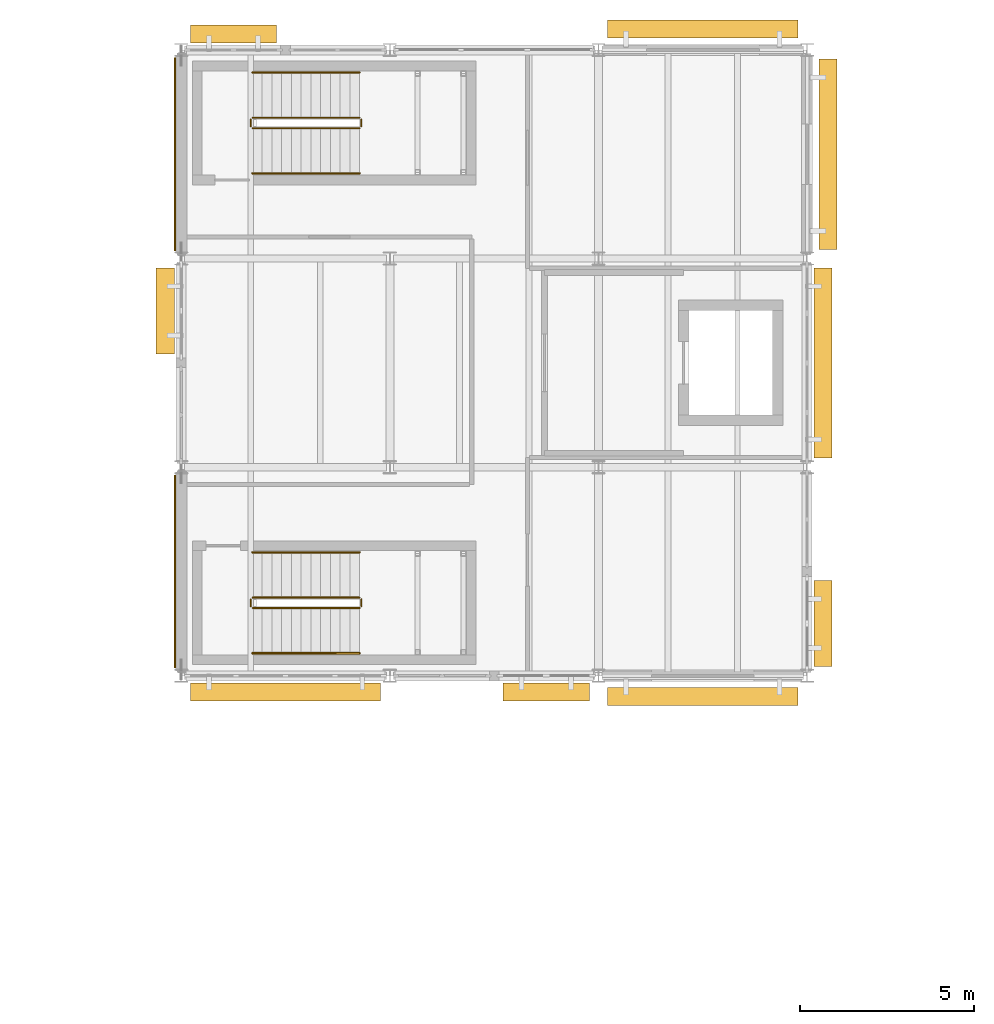
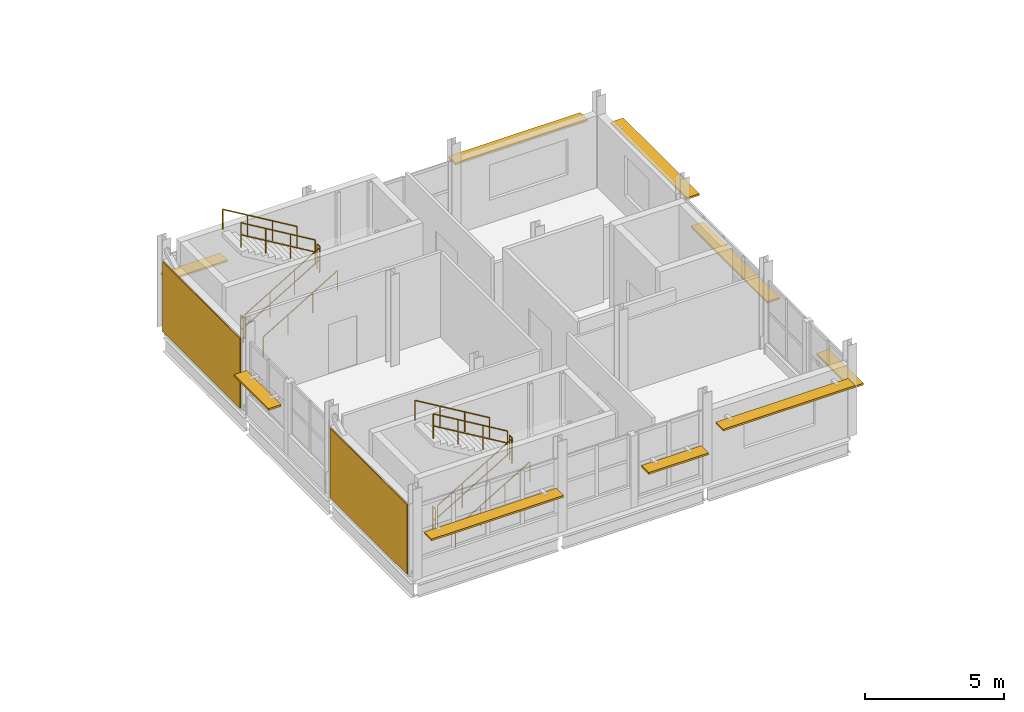
# One storey, part 88 of 92: 12 railings, 9 shading devices, 2 coverings.
"""IFC4 building model written with IfcOpenShell, lengths in metres."""

from ifc_helpers import new_model, si_unit, direction, frame, origin, origin_2d, place, context, subcontext, project, spatial, rectangle, circle, extrude, material, layer, layer_set, type_object, element, save


model = new_model("IFC4")

# Units and contexts
model_context = context("Model", 3, precision=1e-05, world=origin(), true_north=direction((0.0, 1.0)))
body_context = subcontext(model_context, "Body", "Model", "MODEL_VIEW")
ifc_project = project(units=[si_unit("LENGTHUNIT", "METRE"), si_unit("AREAUNIT", "SQUARE_METRE"), si_unit("VOLUMEUNIT", "CUBIC_METRE"), si_unit("PLANEANGLEUNIT", "RADIAN"), si_unit("MASSUNIT", "GRAM", prefix="KILO")], contexts=[model_context])

# Site, building, storey
site_placement = place(None, origin())
site = spatial("IfcSite", under=ifc_project, at=site_placement, CompositionType="ELEMENT")
building_placement = place(site_placement, origin())
building = spatial("IfcBuilding", under=site, at=building_placement, Name="Siltcreek Boulevard Central Fire Station", CompositionType="ELEMENT")
storey_placement = place(building_placement, frame((0.0, 0.0, 6.0)))
storey = spatial("IfcBuildingStorey", under=building, at=storey_placement, Name="L02", CompositionType="ELEMENT", Elevation=6.0)

# Coverings
ifc_material_1 = material(Name="Crisp white ribbed aluminum facade panel", Category="aluminium")
ifc_layer_1 = layer(ifc_material_1, 0.0400390625, Name="Crisp white ribbed aluminum facade panel")
ifc_layer_set_1 = layer_set([ifc_layer_1], Name="Crisp white ribbed aluminum facade panel")
covering_type = type_object("IfcCoveringType", Name="COV_CLAD_WHITE", PredefinedType="CLADDING", material=ifc_layer_set_1)
for number, where, z_axis, x_axis, name in (
    (1, (41.822021484375, 97.199951171875, 0.05029296875), (0.0, 0.0, 1.0), (0.0, -1.0, 0.0), "L02 V3 ventilated facade cladding panel CL-010"),
    (2, (41.822021484375, 109.199951171875, 0.05029296875), (0.0, 0.0, 1.0), (0.0, -1.0, 0.0), "L02 V3 ventilated facade cladding panel CL-011"),
):
    element("IfcCovering", number, at=place(storey_placement, frame(where, z_axis=z_axis, x_axis=x_axis)), inside=storey, type_object=covering_type, Name=name, PredefinedType="CLADDING", context=body_context, shape_type="SweptSolid", body=[
        extrude(rectangle(XDim=5.550048828125, YDim=0.0400390625, at=origin_2d()), origin(), (0.0, 0.0, 1.0), 3.056884765625),
    ])

# Railings
ifc_material_2 = material(Name="Painted galvanized steel stair guard", Category="steel")
railing_type_1 = type_object("IfcRailingType", Name="RL_ST_GUARD", PredefinedType="BALUSTRADE", material=ifc_material_2)
railing_1_placement = place(storey_placement, frame((44.050048828125, 96.14990234375, 0.166748046875)))
element("IfcRailing", 3, at=railing_1_placement, inside=storey, type_object=railing_type_1, Name="L02 ST-V3A stair guard 1", PredefinedType="BALUSTRADE", context=body_context, shape_type="SweptSolid", body=[
    extrude(circle(Radius=0.02392578125, at=origin_2d()), frame((0.0, 0.0, 1.076171875), z_axis=(0.859290745958, 0.0, 0.51148745235), x_axis=(0.0, 1.0, 0.0)), (0.0, 0.0, 1.0), 3.584228515625),
    extrude(circle(Radius=0.02392578125, at=origin_2d()), frame((0.0, 0.0, 0.550048828125), z_axis=(0.859290745958, 0.0, 0.51148745235), x_axis=(0.0, 1.0, 0.0)), (0.0, 0.0, 1.0), 3.584228515625),
    extrude(circle(Radius=0.02099609375, at=origin_2d()), origin(), (0.0, 0.0, 1.0), 1.052001953125),
    extrude(circle(Radius=0.02099609375, at=origin_2d()), frame((1.026611328125, 0.0, 0.611083984375)), (0.0, 0.0, 1.0), 1.052001953125),
    extrude(circle(Radius=0.02099609375, at=origin_2d()), frame((2.05322265625, 0.0, 1.22216796875)), (0.0, 0.0, 1.0), 1.052001953125),
    extrude(circle(Radius=0.02099609375, at=origin_2d()), frame((3.079833984375, 0.0, 1.833251953125)), (0.0, 0.0, 1.0), 1.052001953125),
])
railing_2_placement = place(storey_placement, frame((47.179931640625, 96.199951171875, 2.0)))
element("IfcRailing", 4, at=railing_2_placement, inside=storey, type_object=railing_type_1, Name="L02 ST-V3A stair guard 2", PredefinedType="BALUSTRADE", context=body_context, shape_type="SweptSolid", body=[
    extrude(circle(Radius=0.02392578125, at=origin_2d()), frame((0.0, 0.0, 1.076171875), z_axis=(0.0, 1.0, 0.0), x_axis=(-1.0, 0.0, 0.0)), (0.0, 0.0, 1.0), 0.199951171875),
    extrude(circle(Radius=0.02392578125, at=origin_2d()), frame((0.0, 0.0, 0.550048828125), z_axis=(0.0, 1.0, 0.0), x_axis=(-1.0, 0.0, 0.0)), (0.0, 0.0, 1.0), 0.199951171875),
    extrude(circle(Radius=0.02099609375, at=origin_2d()), origin(), (0.0, 0.0, 1.0), 1.052001953125),
    extrude(circle(Radius=0.02099609375, at=origin_2d()), frame((0.0, 0.199951171875, 0.0)), (0.0, 0.0, 1.0), 1.052001953125),
])
railing_3_placement = place(storey_placement, frame((47.1298828125, 96.449951171875, 2.166748046875)))
element("IfcRailing", 5, at=railing_3_placement, inside=storey, type_object=railing_type_1, Name="L02 ST-V3A stair guard 3", PredefinedType="BALUSTRADE", context=body_context, shape_type="SweptSolid", body=[
    extrude(circle(Radius=0.02392578125, at=origin_2d()), frame((0.0, 0.0, 1.076171875), z_axis=(-0.859290745958, 0.0, 0.51148745235), x_axis=(0.0, -1.0, 0.0)), (0.0, 0.0, 1.0), 3.584228515625),
    extrude(circle(Radius=0.02392578125, at=origin_2d()), frame((0.0, 0.0, 0.550048828125), z_axis=(-0.859290745958, 0.0, 0.51148745235), x_axis=(0.0, -1.0, 0.0)), (0.0, 0.0, 1.0), 3.584228515625),
    extrude(circle(Radius=0.02099609375, at=origin_2d()), origin(), (0.0, 0.0, 1.0), 1.052001953125),
    extrude(circle(Radius=0.02099609375, at=origin_2d()), frame((-1.026611328125, 0.0, 0.611083984375)), (0.0, 0.0, 1.0), 1.052001953125),
    extrude(circle(Radius=0.02099609375, at=origin_2d()), frame((-2.05322265625, 0.0, 1.22216796875)), (0.0, 0.0, 1.0), 1.052001953125),
    extrude(circle(Radius=0.02099609375, at=origin_2d()), frame((-3.079833984375, 0.0, 1.833251953125)), (0.0, 0.0, 1.0), 1.052001953125),
])
railing_4_placement = place(storey_placement, frame((44.0, 96.199951171875, 0.0)))
element("IfcRailing", 6, at=railing_4_placement, inside=storey, type_object=railing_type_1, Name="L02 ST-V3A stair guard 4", PredefinedType="BALUSTRADE", context=body_context, shape_type="SweptSolid", body=[
    extrude(circle(Radius=0.02392578125, at=origin_2d()), frame((0.0, 0.0, 1.076171875), z_axis=(0.0, 1.0, 0.0), x_axis=(-1.0, 0.0, 0.0)), (0.0, 0.0, 1.0), 0.199951171875),
    extrude(circle(Radius=0.02392578125, at=origin_2d()), frame((0.0, 0.0, 0.550048828125), z_axis=(0.0, 1.0, 0.0), x_axis=(-1.0, 0.0, 0.0)), (0.0, 0.0, 1.0), 0.199951171875),
    extrude(circle(Radius=0.02099609375, at=origin_2d()), origin(), (0.0, 0.0, 1.0), 1.052001953125),
    extrude(circle(Radius=0.02099609375, at=origin_2d()), frame((0.0, 0.199951171875, 0.0)), (0.0, 0.0, 1.0), 1.052001953125),
])
railing_5_placement = place(storey_placement, frame((44.050048828125, 109.949951171875, 0.166748046875)))
element("IfcRailing", 7, at=railing_5_placement, inside=storey, type_object=railing_type_1, Name="L02 ST-V3B stair guard 1", PredefinedType="BALUSTRADE", context=body_context, shape_type="SweptSolid", body=[
    extrude(circle(Radius=0.02392578125, at=origin_2d()), frame((0.0, 0.0, 1.076171875), z_axis=(0.859290745958, 0.0, 0.51148745235), x_axis=(0.0, 1.0, 0.0)), (0.0, 0.0, 1.0), 3.584228515625),
    extrude(circle(Radius=0.02392578125, at=origin_2d()), frame((0.0, 0.0, 0.550048828125), z_axis=(0.859290745958, 0.0, 0.51148745235), x_axis=(0.0, 1.0, 0.0)), (0.0, 0.0, 1.0), 3.584228515625),
    extrude(circle(Radius=0.02099609375, at=origin_2d()), origin(), (0.0, 0.0, 1.0), 1.052001953125),
    extrude(circle(Radius=0.02099609375, at=origin_2d()), frame((1.026611328125, 0.0, 0.611083984375)), (0.0, 0.0, 1.0), 1.052001953125),
    extrude(circle(Radius=0.02099609375, at=origin_2d()), frame((2.05322265625, 0.0, 1.22216796875)), (0.0, 0.0, 1.0), 1.052001953125),
    extrude(circle(Radius=0.02099609375, at=origin_2d()), frame((3.079833984375, 0.0, 1.833251953125)), (0.0, 0.0, 1.0), 1.052001953125),
])
railing_6_placement = place(storey_placement, frame((47.179931640625, 110.0, 2.0)))
element("IfcRailing", 8, at=railing_6_placement, inside=storey, type_object=railing_type_1, Name="L02 ST-V3B stair guard 2", PredefinedType="BALUSTRADE", context=body_context, shape_type="SweptSolid", body=[
    extrude(circle(Radius=0.02392578125, at=origin_2d()), frame((0.0, 0.0, 1.076171875), z_axis=(0.0, 1.0, 0.0), x_axis=(-1.0, 0.0, 0.0)), (0.0, 0.0, 1.0), 0.199951171875),
    extrude(circle(Radius=0.02392578125, at=origin_2d()), frame((0.0, 0.0, 0.550048828125), z_axis=(0.0, 1.0, 0.0), x_axis=(-1.0, 0.0, 0.0)), (0.0, 0.0, 1.0), 0.199951171875),
    extrude(circle(Radius=0.02099609375, at=origin_2d()), origin(), (0.0, 0.0, 1.0), 1.052001953125),
    extrude(circle(Radius=0.02099609375, at=origin_2d()), frame((0.0, 0.199951171875, 0.0)), (0.0, 0.0, 1.0), 1.052001953125),
])
railing_7_placement = place(storey_placement, frame((47.1298828125, 110.25, 2.166748046875)))
element("IfcRailing", 9, at=railing_7_placement, inside=storey, type_object=railing_type_1, Name="L02 ST-V3B stair guard 3", PredefinedType="BALUSTRADE", context=body_context, shape_type="SweptSolid", body=[
    extrude(circle(Radius=0.02392578125, at=origin_2d()), frame((0.0, 0.0, 1.076171875), z_axis=(-0.859290745958, 0.0, 0.51148745235), x_axis=(0.0, -1.0, 0.0)), (0.0, 0.0, 1.0), 3.584228515625),
    extrude(circle(Radius=0.02392578125, at=origin_2d()), frame((0.0, 0.0, 0.550048828125), z_axis=(-0.859290745958, 0.0, 0.51148745235), x_axis=(0.0, -1.0, 0.0)), (0.0, 0.0, 1.0), 3.584228515625),
    extrude(circle(Radius=0.02099609375, at=origin_2d()), origin(), (0.0, 0.0, 1.0), 1.052001953125),
    extrude(circle(Radius=0.02099609375, at=origin_2d()), frame((-1.026611328125, 0.0, 0.611083984375)), (0.0, 0.0, 1.0), 1.052001953125),
    extrude(circle(Radius=0.02099609375, at=origin_2d()), frame((-2.05322265625, 0.0, 1.22216796875)), (0.0, 0.0, 1.0), 1.052001953125),
    extrude(circle(Radius=0.02099609375, at=origin_2d()), frame((-3.079833984375, 0.0, 1.833251953125)), (0.0, 0.0, 1.0), 1.052001953125),
])
railing_8_placement = place(storey_placement, frame((44.0, 110.0, 0.0)))
element("IfcRailing", 10, at=railing_8_placement, inside=storey, type_object=railing_type_1, Name="L02 ST-V3B stair guard 4", PredefinedType="BALUSTRADE", context=body_context, shape_type="SweptSolid", body=[
    extrude(circle(Radius=0.02392578125, at=origin_2d()), frame((0.0, 0.0, 1.076171875), z_axis=(0.0, 1.0, 0.0), x_axis=(-1.0, 0.0, 0.0)), (0.0, 0.0, 1.0), 0.199951171875),
    extrude(circle(Radius=0.02392578125, at=origin_2d()), frame((0.0, 0.0, 0.550048828125), z_axis=(0.0, 1.0, 0.0), x_axis=(-1.0, 0.0, 0.0)), (0.0, 0.0, 1.0), 0.199951171875),
    extrude(circle(Radius=0.02099609375, at=origin_2d()), origin(), (0.0, 0.0, 1.0), 1.052001953125),
    extrude(circle(Radius=0.02099609375, at=origin_2d()), frame((0.0, 0.199951171875, 0.0)), (0.0, 0.0, 1.0), 1.052001953125),
])
ifc_material_3 = material(Name="Brushed stainless steel stair handrail", Category="steel")
railing_type_2 = type_object("IfcRailingType", Name="RL_ST_HAND", PredefinedType="HANDRAIL", material=ifc_material_3)
railing_9_placement = place(storey_placement, frame((44.050048828125, 94.85009765625, 0.166748046875)))
element("IfcRailing", 11, at=railing_9_placement, inside=storey, type_object=railing_type_2, Name="L02 ST-V3A stair handrail 1", PredefinedType="HANDRAIL", context=body_context, shape_type="SweptSolid", body=[
    extrude(circle(Radius=0.02392578125, at=origin_2d()), frame((0.0, 0.0, 0.8759765625), z_axis=(0.859290745958, 0.0, 0.51148745235), x_axis=(0.0, 1.0, 0.0)), (0.0, 0.0, 1.0), 3.584228515625),
    extrude(circle(Radius=0.02099609375, at=origin_2d()), origin(), (0.0, 0.0, 1.0), 0.851806640625),
    extrude(circle(Radius=0.02099609375, at=origin_2d()), frame((1.026611328125, 0.0, 0.611083984375)), (0.0, 0.0, 1.0), 0.851806640625),
    extrude(circle(Radius=0.02099609375, at=origin_2d()), frame((2.05322265625, 0.0, 1.22216796875)), (0.0, 0.0, 1.0), 0.851806640625),
    extrude(circle(Radius=0.02099609375, at=origin_2d()), frame((3.079833984375, 0.0, 1.833251953125)), (0.0, 0.0, 1.0), 0.851806640625),
])
railing_10_placement = place(storey_placement, frame((47.1298828125, 97.75, 2.166748046875)))
element("IfcRailing", 12, at=railing_10_placement, inside=storey, type_object=railing_type_2, Name="L02 ST-V3A stair handrail 2", PredefinedType="HANDRAIL", context=body_context, shape_type="SweptSolid", body=[
    extrude(circle(Radius=0.02392578125, at=origin_2d()), frame((0.0, 0.0, 0.8759765625), z_axis=(-0.859290745958, 0.0, 0.51148745235), x_axis=(0.0, -1.0, 0.0)), (0.0, 0.0, 1.0), 3.584228515625),
    extrude(circle(Radius=0.02099609375, at=origin_2d()), origin(), (0.0, 0.0, 1.0), 0.851806640625),
    extrude(circle(Radius=0.02099609375, at=origin_2d()), frame((-1.026611328125, 0.0, 0.611083984375)), (0.0, 0.0, 1.0), 0.851806640625),
    extrude(circle(Radius=0.02099609375, at=origin_2d()), frame((-2.05322265625, 0.0, 1.22216796875)), (0.0, 0.0, 1.0), 0.851806640625),
    extrude(circle(Radius=0.02099609375, at=origin_2d()), frame((-3.079833984375, 0.0, 1.833251953125)), (0.0, 0.0, 1.0), 0.851806640625),
])
railing_11_placement = place(storey_placement, frame((44.050048828125, 108.64990234375, 0.166748046875)))
element("IfcRailing", 13, at=railing_11_placement, inside=storey, type_object=railing_type_2, Name="L02 ST-V3B stair handrail 1", PredefinedType="HANDRAIL", context=body_context, shape_type="SweptSolid", body=[
    extrude(circle(Radius=0.02392578125, at=origin_2d()), frame((0.0, 0.0, 0.8759765625), z_axis=(0.859290745958, 0.0, 0.51148745235), x_axis=(0.0, 1.0, 0.0)), (0.0, 0.0, 1.0), 3.584228515625),
    extrude(circle(Radius=0.02099609375, at=origin_2d()), origin(), (0.0, 0.0, 1.0), 0.851806640625),
    extrude(circle(Radius=0.02099609375, at=origin_2d()), frame((1.026611328125, 0.0, 0.611083984375)), (0.0, 0.0, 1.0), 0.851806640625),
    extrude(circle(Radius=0.02099609375, at=origin_2d()), frame((2.05322265625, 0.0, 1.22216796875)), (0.0, 0.0, 1.0), 0.851806640625),
    extrude(circle(Radius=0.02099609375, at=origin_2d()), frame((3.079833984375, 0.0, 1.833251953125)), (0.0, 0.0, 1.0), 0.851806640625),
])
railing_12_placement = place(storey_placement, frame((47.1298828125, 111.550048828125, 2.166748046875)))
element("IfcRailing", 14, at=railing_12_placement, inside=storey, type_object=railing_type_2, Name="L02 ST-V3B stair handrail 2", PredefinedType="HANDRAIL", context=body_context, shape_type="SweptSolid", body=[
    extrude(circle(Radius=0.02392578125, at=origin_2d()), frame((0.0, 0.0, 0.8759765625), z_axis=(-0.859290745958, 0.0, 0.51148745235), x_axis=(0.0, -1.0, 0.0)), (0.0, 0.0, 1.0), 3.584228515625),
    extrude(circle(Radius=0.02099609375, at=origin_2d()), origin(), (0.0, 0.0, 1.0), 0.851806640625),
    extrude(circle(Radius=0.02099609375, at=origin_2d()), frame((-1.026611328125, 0.0, 0.611083984375)), (0.0, 0.0, 1.0), 0.851806640625),
    extrude(circle(Radius=0.02099609375, at=origin_2d()), frame((-2.05322265625, 0.0, 1.22216796875)), (0.0, 0.0, 1.0), 0.851806640625),
    extrude(circle(Radius=0.02099609375, at=origin_2d()), frame((-3.079833984375, 0.0, 1.833251953125)), (0.0, 0.0, 1.0), 0.851806640625),
])

# Shading devices
ifc_material_4 = material(Name="Frey sage-green anodized tubular aluminum sunshade", Category="aluminium")
ifc_layer_2 = layer(ifc_material_4, 0.080078125, Name="Frey sage-green anodized tubular aluminum sunshade")
ifc_layer_set_2 = layer_set([ifc_layer_2], Name="Frey sage-green anodized tubular aluminum sunshade")
shading_device_type = type_object("IfcShadingDeviceType", Name="SHD_BRISE", PredefinedType="USERDEFINED", material=ifc_layer_set_2)
shading_device_1_placement = place(storey_placement, frame((45.0, 93.739990234375, 1.9365234375), z_axis=(0.0, 0.0, 1.0), x_axis=(1.0, 0.0, 0.0)))
element("IfcShadingDevice", 15, at=shading_device_1_placement, inside=storey, type_object=shading_device_type, Name="Anodized tubular aluminum brise-soleil SS-033", ObjectType="SUNSHADE", PredefinedType="USERDEFINED", context=body_context, shape_type="SweptSolid", body=[
    extrude(rectangle(XDim=5.469970703125, YDim=0.52001953125, at=origin_2d()), origin(), (0.0, 0.0, 1.0), 0.080078125),
])
shading_device_2_placement = place(storey_placement, frame((52.49755859375, 93.739990234375, 1.696533203125), z_axis=(0.0, 0.0, 1.0), x_axis=(1.0, 0.0, 0.0)))
element("IfcShadingDevice", 16, at=shading_device_2_placement, inside=storey, type_object=shading_device_type, Name="Anodized tubular aluminum brise-soleil SS-034", ObjectType="SUNSHADE", PredefinedType="USERDEFINED", context=body_context, shape_type="SweptSolid", body=[
    extrude(rectangle(XDim=2.47509765625, YDim=0.52001953125, at=origin_2d()), origin(), (0.0, 0.0, 1.0), 0.080078125),
])
shading_device_3_placement = place(storey_placement, frame((57.0, 93.60009765625, 2.6298828125), z_axis=(0.0, 0.0, 1.0), x_axis=(1.0, 0.0, 0.0)))
element("IfcShadingDevice", 17, at=shading_device_3_placement, inside=storey, type_object=shading_device_type, Name="Anodized tubular aluminum brise-soleil SS-035", ObjectType="SUNSHADE", PredefinedType="USERDEFINED", context=body_context, shape_type="SweptSolid", body=[
    extrude(rectangle(XDim=5.469970703125, YDim=0.52001953125, at=origin_2d()), origin(), (0.0, 0.0, 1.0), 0.080078125),
])
shading_device_4_placement = place(storey_placement, frame((43.50244140625, 112.659912109375, 1.81640625), z_axis=(0.0, 0.0, 1.0), x_axis=(-1.0, 0.0, 0.0)))
element("IfcShadingDevice", 18, at=shading_device_4_placement, inside=storey, type_object=shading_device_type, Name="Anodized tubular aluminum brise-soleil SS-036", ObjectType="SUNSHADE", PredefinedType="USERDEFINED", context=body_context, shape_type="SweptSolid", body=[
    extrude(rectangle(XDim=2.47509765625, YDim=0.52001953125, at=origin_2d()), origin(), (0.0, 0.0, 1.0), 0.080078125),
])
shading_device_5_placement = place(storey_placement, frame((57.0, 112.800048828125, 2.6298828125), z_axis=(0.0, 0.0, 1.0), x_axis=(-1.0, 0.0, 0.0)))
element("IfcShadingDevice", 19, at=shading_device_5_placement, inside=storey, type_object=shading_device_type, Name="Anodized tubular aluminum brise-soleil SS-037", ObjectType="SUNSHADE", PredefinedType="USERDEFINED", context=body_context, shape_type="SweptSolid", body=[
    extrude(rectangle(XDim=5.469970703125, YDim=0.52001953125, at=origin_2d()), origin(), (0.0, 0.0, 1.0), 0.080078125),
])
for number, where, z_axis, x_axis, name in (
    (20, (41.5400390625, 104.697509765625, 1.9384765625), (0.0, 0.0, 1.0), (0.0, -1.0, 0.0), "Anodized tubular aluminum brise-soleil SS-038"),
    (21, (60.4599609375, 95.702392578125, 1.698486328125), (0.0, 0.0, 1.0), (0.0, 1.0, 0.0), "Anodized tubular aluminum brise-soleil SS-039"),
):
    element("IfcShadingDevice", number, at=place(storey_placement, frame(where, z_axis=z_axis, x_axis=x_axis)), inside=storey, type_object=shading_device_type, Name=name, ObjectType="SUNSHADE", PredefinedType="USERDEFINED", context=body_context, shape_type="SweptSolid", body=[
        extrude(rectangle(XDim=2.47509765625, YDim=0.52001953125, at=origin_2d()), origin(), (0.0, 0.0, 1.0), 0.080078125),
    ])
for number, where, z_axis, x_axis, name in (
    (22, (60.4599609375, 103.199951171875, 1.818359375), (0.0, 0.0, 1.0), (0.0, 1.0, 0.0), "Anodized tubular aluminum brise-soleil SS-040"),
    (23, (60.60009765625, 109.199951171875, 2.679931640625), (0.0, 0.0, 1.0), (0.0, 1.0, 0.0), "Anodized tubular aluminum brise-soleil SS-041"),
):
    element("IfcShadingDevice", number, at=place(storey_placement, frame(where, z_axis=z_axis, x_axis=x_axis)), inside=storey, type_object=shading_device_type, Name=name, ObjectType="SUNSHADE", PredefinedType="USERDEFINED", context=body_context, shape_type="SweptSolid", body=[
        extrude(rectangle(XDim=5.469970703125, YDim=0.52001953125, at=origin_2d()), origin(), (0.0, 0.0, 1.0), 0.080078125),
    ])

save(model, "model.ifc")
